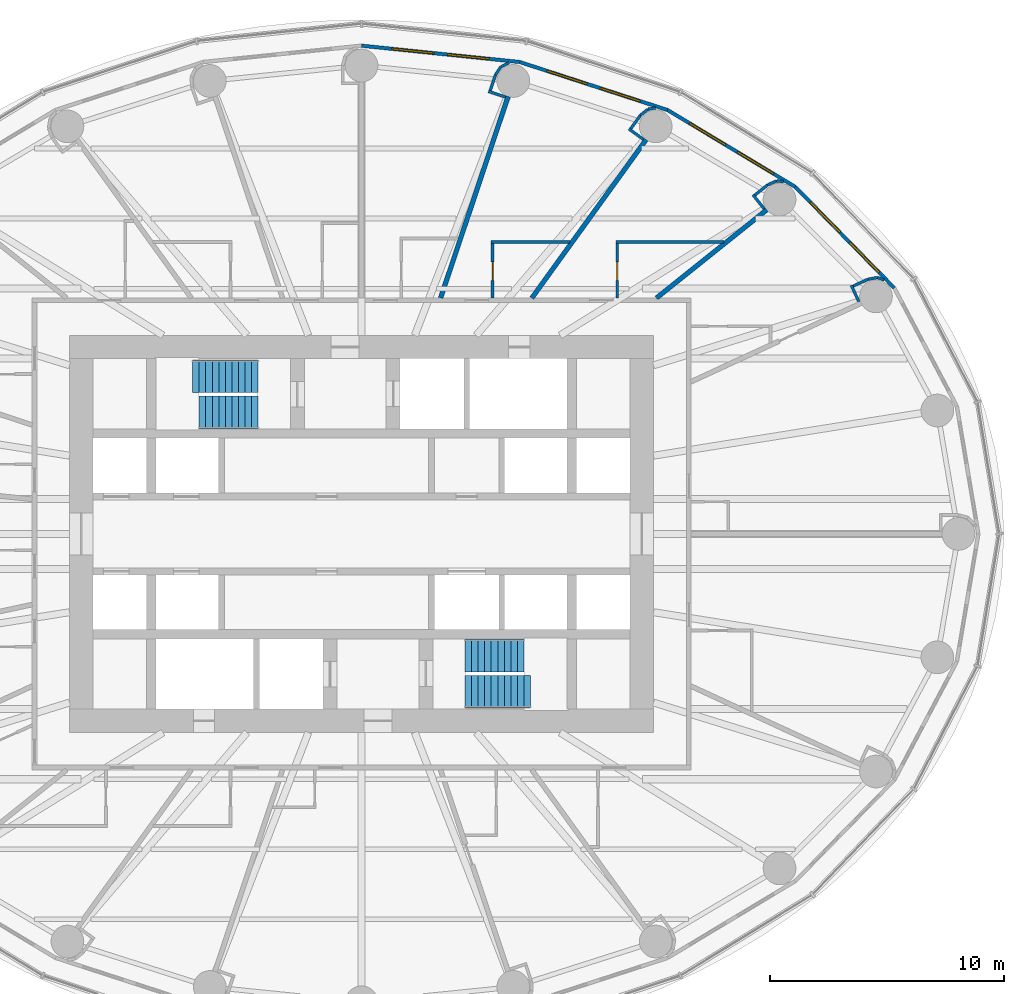
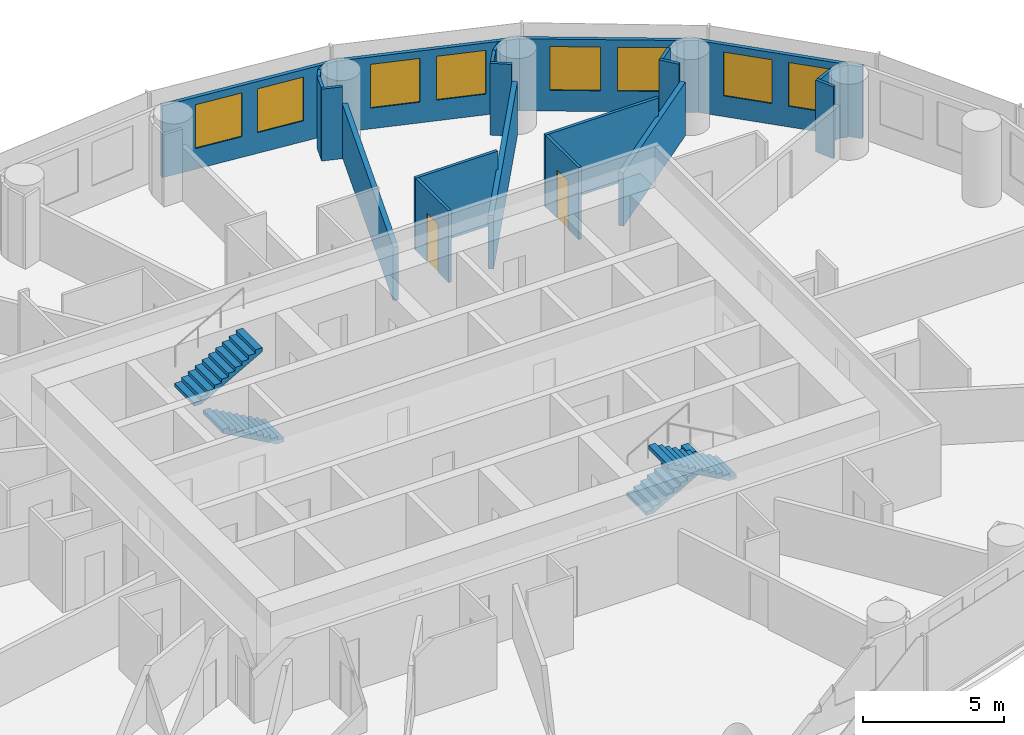
# One storey, part 12 of 13: 27 walls, 8 windows, 4 stair flights, 2 doors, 10 openings, 2 elements without a shape of their own.
"""IFC4 building model written with IfcOpenShell, lengths in metres."""

from ifc_helpers import new_model, si_unit, direction, frame, frame_2d, origin, place, context, subcontext, project, spatial, polyline, rectangle, outline, extrude, material, layer, layer_set, type_object, element, fill, aggregate, save


model = new_model("IFC4")

# Units and contexts
model_context = context("Model", 3, precision=1e-05, world=origin(), true_north=direction((0.0, 1.0)))
body_context = subcontext(model_context, "Body", "Model", "MODEL_VIEW")
ifc_project = project(units=[si_unit("LENGTHUNIT", "METRE"), si_unit("AREAUNIT", "SQUARE_METRE"), si_unit("VOLUMEUNIT", "CUBIC_METRE"), si_unit("PLANEANGLEUNIT", "RADIAN"), si_unit("MASSUNIT", "GRAM", prefix="KILO")], contexts=[model_context])

# Site, building, storey
site_placement = place(None, origin())
site = spatial("IfcSite", under=ifc_project, at=site_placement, CompositionType="ELEMENT")
building_placement = place(site_placement, origin())
building = spatial("IfcBuilding", under=site, at=building_placement, Name="Hankou Lantern Tower", CompositionType="ELEMENT")
storey_placement = place(building_placement, frame((0.0, 0.0, 83.699951171875)))
storey = spatial("IfcBuildingStorey", under=building, at=storey_placement, Name="L21", CompositionType="ELEMENT", Elevation=83.699951171875)

# Wall, openings, windows
ifc_material_1 = material(Name="Aluminium spandrel panel on steel studs", Category="steel")
ifc_layer_1 = layer(ifc_material_1, 0.14990234375)
ifc_layer_set_1 = layer_set([ifc_layer_1], Name="Aluminium spandrel panel on steel studs")
wall_type_1 = type_object("IfcWallType", Name="EW1 INNER SKIN WALL 150", PredefinedType="ELEMENTEDWALL", material=ifc_layer_set_1)
wall_1_placement = place(storey_placement, frame((22.802734375, 10.5322265625, 0.0), z_axis=(0.0, 0.0, 1.0), x_axis=(-0.699602905915, 0.714531856557, 0.0)))
wall_1 = element("IfcWall", 1, at=wall_1_placement, inside=storey, type_object=wall_type_1, Name="Inner skin R03-R04 L21", PredefinedType="ELEMENTEDWALL", context=body_context, shape_type="SweptSolid", body=[
    extrude(rectangle(XDim=6.05078125, YDim=0.14990234375, at=frame_2d((3.025390625, 0.0))), origin(), (0.0, 0.0, 1.0), 3.1201171875),
])
opening_1_placement = place(wall_1_placement, frame((0.925537109375, 0.0, 0.89990234375)))
opening_1 = element("IfcOpeningElement", 2, at=opening_1_placement, cuts=wall_1, Name="Opening W1", PredefinedType="OPENING", context=body_context, shape_type="SweptSolid", body=[
    extrude(rectangle(XDim=1.800048828125, YDim=1.89990234375, at=frame_2d((0.89990234375, 0.949951171875))), frame((0.0, 0.0849609375, 0.0), z_axis=(0.0, -1.0, 0.0), x_axis=(1.0, 0.0, 0.0)), (0.0, 0.0, 1.0), 0.169921875),
])
opening_2_placement = place(wall_1_placement, frame((3.325439453125, 0.0, 0.89990234375)))
opening_2 = element("IfcOpeningElement", 3, at=opening_2_placement, cuts=wall_1, Name="Opening W1", PredefinedType="OPENING", context=body_context, shape_type="SweptSolid", body=[
    extrude(rectangle(XDim=1.800048828125, YDim=1.89990234375, at=frame_2d((0.89990234375, 0.949951171875))), frame((0.0, 0.0849609375, 0.0), z_axis=(0.0, -1.0, 0.0), x_axis=(1.0, 0.0, 0.0)), (0.0, 0.0, 1.0), 0.169921875),
])
ifc_material_2 = material(Name="Aluminium framed double glazed window", Category="aluminium")
window_type = type_object("IfcWindowType", Name="W1 GUEST ROOM WINDOW 1800X1900", PartitioningType="DOUBLE_PANEL_VERTICAL", PredefinedType="WINDOW", material=ifc_material_2)
window_1_placement = place(opening_1_placement, origin())
window_1 = element("IfcWindow", 4, at=window_1_placement, inside=storey, type_object=window_type, Name="Window R03.1 L21", OverallHeight=1.89990234375, OverallWidth=1.800048828125, PartitioningType="SINGLE_PANEL", PredefinedType="WINDOW", context=body_context, shape_type="SweptSolid", body=[
    extrude(rectangle(XDim=1.800048828125, YDim=1.89990234375, at=frame_2d((0.89990234375, 0.949951171875))), frame((0.0, 0.030029296875, 0.0), z_axis=(0.0, -1.0, 0.0), x_axis=(1.0, 0.0, 0.0)), (0.0, 0.0, 1.0), 0.06005859375),
])
fill(opening_1, window_1)
window_2_placement = place(opening_2_placement, origin())
window_2 = element("IfcWindow", 5, at=window_2_placement, inside=storey, type_object=window_type, Name="Window R03.2 L21", OverallHeight=1.89990234375, OverallWidth=1.800048828125, PartitioningType="SINGLE_PANEL", PredefinedType="WINDOW", context=body_context, shape_type="SweptSolid", body=[
    extrude(rectangle(XDim=1.800048828125, YDim=1.89990234375, at=frame_2d((0.89990234375, 0.949951171875))), frame((0.0, 0.030029296875, 0.0), z_axis=(0.0, -1.0, 0.0), x_axis=(1.0, 0.0, 0.0)), (0.0, 0.0, 1.0), 0.06005859375),
])
fill(opening_2, window_2)

wall_2_placement = place(storey_placement, frame((18.569580078125, 14.855712890625, 0.0), z_axis=(0.0, 0.0, 1.0), x_axis=(-0.856983180864, 0.515344377787, 0.0)))
wall_2 = element("IfcWall", 6, at=wall_2_placement, inside=storey, type_object=wall_type_1, Name="Inner skin R04-R05 L21", PredefinedType="ELEMENTEDWALL", context=body_context, shape_type="SweptSolid", body=[
    extrude(rectangle(XDim=6.386474609375, YDim=0.14990234375, at=frame_2d((3.193359375, 0.0))), origin(), (0.0, 0.0, 1.0), 3.1201171875),
])
opening_3_placement = place(wall_2_placement, frame((1.09326171875, 0.0, 0.89990234375)))
opening_3 = element("IfcOpeningElement", 7, at=opening_3_placement, cuts=wall_2, Name="Opening W1", PredefinedType="OPENING", context=body_context, shape_type="SweptSolid", body=[
    extrude(rectangle(XDim=1.800048828125, YDim=1.89990234375, at=frame_2d((0.89990234375, 0.949951171875))), frame((0.0, 0.0849609375, 0.0), z_axis=(0.0, -1.0, 0.0), x_axis=(1.0, 0.0, 0.0)), (0.0, 0.0, 1.0), 0.169921875),
])
opening_4_placement = place(wall_2_placement, frame((3.4931640625, 0.0, 0.89990234375)))
opening_4 = element("IfcOpeningElement", 8, at=opening_4_placement, cuts=wall_2, Name="Opening W1", PredefinedType="OPENING", context=body_context, shape_type="SweptSolid", body=[
    extrude(rectangle(XDim=1.800048828125, YDim=1.89990234375, at=frame_2d((0.89990234375, 0.949951171875))), frame((0.0, 0.0849609375, 0.0), z_axis=(0.0, -1.0, 0.0), x_axis=(1.0, 0.0, 0.0)), (0.0, 0.0, 1.0), 0.169921875),
])
window_3_placement = place(opening_3_placement, origin())
window_3 = element("IfcWindow", 9, at=window_3_placement, inside=storey, type_object=window_type, Name="Window R04.1 L21", OverallHeight=1.89990234375, OverallWidth=1.800048828125, PartitioningType="SINGLE_PANEL", PredefinedType="WINDOW", context=body_context, shape_type="SweptSolid", body=[
    extrude(rectangle(XDim=1.800048828125, YDim=1.89990234375, at=frame_2d((0.89990234375, 0.949951171875))), frame((0.0, 0.030029296875, 0.0), z_axis=(0.0, -1.0, 0.0), x_axis=(1.0, 0.0, 0.0)), (0.0, 0.0, 1.0), 0.06005859375),
])
fill(opening_3, window_3)
window_4_placement = place(opening_4_placement, origin())
window_4 = element("IfcWindow", 10, at=window_4_placement, inside=storey, type_object=window_type, Name="Window R04.2 L21", OverallHeight=1.89990234375, OverallWidth=1.800048828125, PartitioningType="SINGLE_PANEL", PredefinedType="WINDOW", context=body_context, shape_type="SweptSolid", body=[
    extrude(rectangle(XDim=1.800048828125, YDim=1.89990234375, at=frame_2d((0.89990234375, 0.949951171875))), frame((0.0, 0.030029296875, 0.0), z_axis=(0.0, -1.0, 0.0), x_axis=(1.0, 0.0, 0.0)), (0.0, 0.0, 1.0), 0.06005859375),
])
fill(opening_4, window_4)

wall_3_placement = place(storey_placement, frame((13.096435546875, 18.14697265625, 0.0), z_axis=(0.0, 0.0, 1.0), x_axis=(-0.951137534625, 0.308767534285, 0.0)))
wall_3 = element("IfcWall", 11, at=wall_3_placement, inside=storey, type_object=wall_type_1, Name="Inner skin R05-R06 L21", PredefinedType="ELEMENTEDWALL", context=body_context, shape_type="SweptSolid", body=[
    extrude(rectangle(XDim=6.6552734375, YDim=0.14990234375, at=frame_2d((3.32763671875, 0.0))), origin(), (0.0, 0.0, 1.0), 3.1201171875),
])
opening_5_placement = place(wall_3_placement, frame((1.2275390625, 0.0, 0.89990234375)))
opening_5 = element("IfcOpeningElement", 12, at=opening_5_placement, cuts=wall_3, Name="Opening W1", PredefinedType="OPENING", context=body_context, shape_type="SweptSolid", body=[
    extrude(rectangle(XDim=1.800048828125, YDim=1.89990234375, at=frame_2d((0.89990234375, 0.949951171875))), frame((0.0, 0.0849609375, 0.0), z_axis=(0.0, -1.0, 0.0), x_axis=(1.0, 0.0, 0.0)), (0.0, 0.0, 1.0), 0.169921875),
])
opening_6_placement = place(wall_3_placement, frame((3.627685546875, 0.0, 0.89990234375)))
opening_6 = element("IfcOpeningElement", 13, at=opening_6_placement, cuts=wall_3, Name="Opening W1", PredefinedType="OPENING", context=body_context, shape_type="SweptSolid", body=[
    extrude(rectangle(XDim=1.800048828125, YDim=1.89990234375, at=frame_2d((0.89990234375, 0.949951171875))), frame((0.0, 0.0849609375, 0.0), z_axis=(0.0, -1.0, 0.0), x_axis=(1.0, 0.0, 0.0)), (0.0, 0.0, 1.0), 0.169921875),
])
window_5_placement = place(opening_5_placement, origin())
window_5 = element("IfcWindow", 14, at=window_5_placement, inside=storey, type_object=window_type, Name="Window R05.1 L21", OverallHeight=1.89990234375, OverallWidth=1.800048828125, PartitioningType="SINGLE_PANEL", PredefinedType="WINDOW", context=body_context, shape_type="SweptSolid", body=[
    extrude(rectangle(XDim=1.800048828125, YDim=1.89990234375, at=frame_2d((0.89990234375, 0.949951171875))), frame((0.0, 0.030029296875, 0.0), z_axis=(0.0, -1.0, 0.0), x_axis=(1.0, 0.0, 0.0)), (0.0, 0.0, 1.0), 0.06005859375),
])
fill(opening_5, window_5)
window_6_placement = place(opening_6_placement, origin())
window_6 = element("IfcWindow", 15, at=window_6_placement, inside=storey, type_object=window_type, Name="Window R05.2 L21", OverallHeight=1.89990234375, OverallWidth=1.800048828125, PartitioningType="SINGLE_PANEL", PredefinedType="WINDOW", context=body_context, shape_type="SweptSolid", body=[
    extrude(rectangle(XDim=1.800048828125, YDim=1.89990234375, at=frame_2d((0.89990234375, 0.949951171875))), frame((0.0, 0.030029296875, 0.0), z_axis=(0.0, -1.0, 0.0), x_axis=(1.0, 0.0, 0.0)), (0.0, 0.0, 1.0), 0.06005859375),
])
fill(opening_6, window_6)

wall_4_placement = place(storey_placement, frame((6.766357421875, 20.201904296875, 0.0), z_axis=(0.0, 0.0, 1.0), x_axis=(-0.994721394369, 0.102612609291, 0.0)))
wall_4 = element("IfcWall", 16, at=wall_4_placement, inside=storey, type_object=wall_type_1, Name="Inner skin R06-R07 L21", PredefinedType="ELEMENTEDWALL", context=body_context, shape_type="SweptSolid", body=[
    extrude(rectangle(XDim=6.80224609375, YDim=0.14990234375, at=frame_2d((3.401123046875, 0.0))), origin(), (0.0, 0.0, 1.0), 3.1201171875),
])
opening_7_placement = place(wall_4_placement, frame((1.301025390625, 0.0, 0.89990234375)))
opening_7 = element("IfcOpeningElement", 17, at=opening_7_placement, cuts=wall_4, Name="Opening W1", PredefinedType="OPENING", context=body_context, shape_type="SweptSolid", body=[
    extrude(rectangle(XDim=1.800048828125, YDim=1.89990234375, at=frame_2d((0.89990234375, 0.949951171875))), frame((0.0, 0.0849609375, 0.0), z_axis=(0.0, -1.0, 0.0), x_axis=(1.0, 0.0, 0.0)), (0.0, 0.0, 1.0), 0.169921875),
])
opening_8_placement = place(wall_4_placement, frame((3.701171875, 0.0, 0.89990234375)))
opening_8 = element("IfcOpeningElement", 18, at=opening_8_placement, cuts=wall_4, Name="Opening W1", PredefinedType="OPENING", context=body_context, shape_type="SweptSolid", body=[
    extrude(rectangle(XDim=1.800048828125, YDim=1.89990234375, at=frame_2d((0.89990234375, 0.949951171875))), frame((0.0, 0.0849609375, 0.0), z_axis=(0.0, -1.0, 0.0), x_axis=(1.0, 0.0, 0.0)), (0.0, 0.0, 1.0), 0.169921875),
])
window_7_placement = place(opening_7_placement, origin())
window_7 = element("IfcWindow", 19, at=window_7_placement, inside=storey, type_object=window_type, Name="Window R06.1 L21", OverallHeight=1.89990234375, OverallWidth=1.800048828125, PartitioningType="SINGLE_PANEL", PredefinedType="WINDOW", context=body_context, shape_type="SweptSolid", body=[
    extrude(rectangle(XDim=1.800048828125, YDim=1.89990234375, at=frame_2d((0.89990234375, 0.949951171875))), frame((0.0, 0.030029296875, 0.0), z_axis=(0.0, -1.0, 0.0), x_axis=(1.0, 0.0, 0.0)), (0.0, 0.0, 1.0), 0.06005859375),
])
fill(opening_7, window_7)
window_8_placement = place(opening_8_placement, origin())
window_8 = element("IfcWindow", 20, at=window_8_placement, inside=storey, type_object=window_type, Name="Window R06.2 L21", OverallHeight=1.89990234375, OverallWidth=1.800048828125, PartitioningType="SINGLE_PANEL", PredefinedType="WINDOW", context=body_context, shape_type="SweptSolid", body=[
    extrude(rectangle(XDim=1.800048828125, YDim=1.89990234375, at=frame_2d((0.89990234375, 0.949951171875))), frame((0.0, 0.030029296875, 0.0), z_axis=(0.0, -1.0, 0.0), x_axis=(1.0, 0.0, 0.0)), (0.0, 0.0, 1.0), 0.06005859375),
])
fill(opening_8, window_8)

# Walls
ifc_material_3 = material(Name="Masonry lightweight concrete block", Category="masonry")
ifc_layer_2 = layer(ifc_material_3, 0.199951171875)
ifc_layer_set_2 = layer_set([ifc_layer_2], Name="Masonry lightweight concrete block")
wall_type_2 = type_object("IfcWallType", Name="IW1 GUEST ROOM PARTY WALL 200", PredefinedType="PARTITIONING", material=ifc_layer_set_2)
wall_5_placement = place(storey_placement, frame((12.625, 10.10009765625, 0.0), z_axis=(0.0, 0.0, 1.0), x_axis=(0.780892451574, 0.624665493744, 0.0)))
element("IfcWall", 21, at=wall_5_placement, inside=storey, type_object=wall_type_2, Name="Party wall R04", PredefinedType="PARTITIONING", context=body_context, shape_type="SweptSolid", body=[
    extrude(rectangle(XDim=6.044677734375, YDim=0.199951171875, at=frame_2d((3.0224609375, 0.0))), origin(), (0.0, 0.0, 1.0), 2.320068359375),
])
wall_6_placement = place(storey_placement, frame((7.2890625, 10.10009765625, 0.0), z_axis=(0.0, 0.0, 1.0), x_axis=(0.585198353053, 0.810890182197, 0.0)))
element("IfcWall", 22, at=wall_6_placement, inside=storey, type_object=wall_type_2, Name="Party wall R05", PredefinedType="PARTITIONING", context=body_context, shape_type="SweptSolid", body=[
    extrude(rectangle(XDim=8.359619140625, YDim=0.199951171875, at=frame_2d((4.1796875, 0.0))), origin(), (0.0, 0.0, 1.0), 2.320068359375),
])
wall_7_placement = place(storey_placement, frame((3.3828125, 10.10009765625, 0.0), z_axis=(0.0, 0.0, 1.0), x_axis=(0.31759592231, 0.948226149256, 0.0)))
element("IfcWall", 23, at=wall_7_placement, inside=storey, type_object=wall_type_2, Name="Party wall R06", PredefinedType="PARTITIONING", context=body_context, shape_type="SweptSolid", body=[
    extrude(rectangle(XDim=9.098388671875, YDim=0.199951171875, at=frame_2d((4.54931640625, 0.0))), origin(), (0.0, 0.0, 1.0), 2.320068359375),
])
ifc_material_4 = material(Name="Masonry lightweight concrete block", Category="masonry")
ifc_layer_3 = layer(ifc_material_4, 0.1201171875)
ifc_layer_set_3 = layer_set([ifc_layer_3], Name="Masonry lightweight concrete block")
wall_type_3 = type_object("IfcWallType", Name="IW3 BATHROOM WALL 120", PredefinedType="PARTITIONING", material=ifc_layer_set_3)
wall_8_placement = place(storey_placement, frame((15.52490234375, 12.5, 0.0), z_axis=(0.0, 0.0, 1.0), x_axis=(-1.0, 0.0, 0.0)))
element("IfcWall", 24, at=wall_8_placement, inside=storey, type_object=wall_type_3, Name="Box wall 2111 1", PredefinedType="PARTITIONING", context=body_context, shape_type="SweptSolid", body=[
    extrude(rectangle(XDim=4.639892578125, YDim=0.1201171875, at=frame_2d((2.31982421875, 0.0))), origin(), (0.0, 0.0, 1.0), 3.1201171875),
])

# Wall, opening, door
wall_9_placement = place(storey_placement, frame((10.945068359375, 10.10009765625, 0.0), z_axis=(0.0, 0.0, 1.0), x_axis=(0.0, 1.0, 0.0)))
wall_9 = element("IfcWall", 25, at=wall_9_placement, inside=storey, type_object=wall_type_3, Name="Box wall 2111 1", PredefinedType="PARTITIONING", context=body_context, shape_type="SweptSolid", body=[
    extrude(rectangle(XDim=2.33984375, YDim=0.1201171875, at=frame_2d((1.169921875, 0.0))), origin(), (0.0, 0.0, 1.0), 3.1201171875),
])
opening_9_placement = place(wall_9_placement, frame((0.75, 0.0, 0.0)))
opening_9 = element("IfcOpeningElement", 26, at=opening_9_placement, cuts=wall_9, Name="Opening D3", PredefinedType="OPENING", context=body_context, shape_type="SweptSolid", body=[
    extrude(rectangle(XDim=0.800048828125, YDim=2.10009765625, at=frame_2d((0.39990234375, 1.050048828125))), frame((0.0, 0.070068359375, 0.0), z_axis=(0.0, -1.0, 0.0), x_axis=(1.0, 0.0, 0.0)), (0.0, 0.0, 1.0), 0.14013671875),
])
ifc_material_5 = material(Name="Timber door leaf", Category="wood")
door_type = type_object("IfcDoorType", Name="D3 BATHROOM DOOR 800X2100", OperationType="SINGLE_SWING_LEFT", PredefinedType="DOOR", material=ifc_material_5)
door_1_placement = place(opening_9_placement, origin())
door_1 = element("IfcDoor", 27, at=door_1_placement, inside=storey, type_object=door_type, Name="En-suite bathroom 2111 door", OperationType="SINGLE_SWING_LEFT", OverallHeight=2.10009765625, OverallWidth=0.800048828125, PredefinedType="DOOR", context=body_context, shape_type="SweptSolid", body=[
    extrude(rectangle(XDim=0.800048828125, YDim=2.10009765625, at=frame_2d((0.39990234375, 1.050048828125))), frame((0.0, 0.02490234375, 0.0), z_axis=(0.0, -1.0, 0.0), x_axis=(1.0, 0.0, 0.0)), (0.0, 0.0, 1.0), 0.050048828125),
])
fill(opening_9, door_1)

# Wall
wall_10_placement = place(storey_placement, frame((8.921142578125, 12.5, 0.0), z_axis=(0.0, 0.0, 1.0), x_axis=(-1.0, 0.0, 0.0)))
element("IfcWall", 28, at=wall_10_placement, inside=storey, type_object=wall_type_3, Name="Box wall 2112 1", PredefinedType="PARTITIONING", context=body_context, shape_type="SweptSolid", body=[
    extrude(rectangle(XDim=3.3720703125, YDim=0.1201171875, at=frame_2d((1.68603515625, 0.0))), origin(), (0.0, 0.0, 1.0), 3.1201171875),
])

# Wall, opening, door
wall_11_placement = place(storey_placement, frame((5.609130859375, 10.10009765625, 0.0), z_axis=(0.0, 0.0, 1.0), x_axis=(0.0, 1.0, 0.0)))
wall_11 = element("IfcWall", 29, at=wall_11_placement, inside=storey, type_object=wall_type_3, Name="Box wall 2112 1", PredefinedType="PARTITIONING", context=body_context, shape_type="SweptSolid", body=[
    extrude(rectangle(XDim=2.33984375, YDim=0.1201171875, at=frame_2d((1.169921875, 0.0))), origin(), (0.0, 0.0, 1.0), 3.1201171875),
])
opening_10_placement = place(wall_11_placement, frame((0.75, 0.0, 0.0)))
opening_10 = element("IfcOpeningElement", 30, at=opening_10_placement, cuts=wall_11, Name="Opening D3", PredefinedType="OPENING", context=body_context, shape_type="SweptSolid", body=[
    extrude(rectangle(XDim=0.800048828125, YDim=2.10009765625, at=frame_2d((0.39990234375, 1.050048828125))), frame((0.0, 0.070068359375, 0.0), z_axis=(0.0, -1.0, 0.0), x_axis=(1.0, 0.0, 0.0)), (0.0, 0.0, 1.0), 0.14013671875),
])
door_2_placement = place(opening_10_placement, origin())
door_2 = element("IfcDoor", 31, at=door_2_placement, inside=storey, type_object=door_type, Name="En-suite bathroom 2112 door", OperationType="SINGLE_SWING_LEFT", OverallHeight=2.10009765625, OverallWidth=0.800048828125, PredefinedType="DOOR", context=body_context, shape_type="SweptSolid", body=[
    extrude(rectangle(XDim=0.800048828125, YDim=2.10009765625, at=frame_2d((0.39990234375, 1.050048828125))), frame((0.0, 0.02490234375, 0.0), z_axis=(0.0, -1.0, 0.0), x_axis=(1.0, 0.0, 0.0)), (0.0, 0.0, 1.0), 0.050048828125),
])
fill(opening_10, door_2)

# Walls
ifc_material_6 = material(Name="Masonry lightweight concrete block", Category="masonry")
ifc_layer_4 = layer(ifc_material_6, 0.1201171875)
ifc_layer_set_4 = layer_set([ifc_layer_4], Name="Masonry lightweight concrete block")
wall_type_4 = type_object("IfcWallType", Name="IW4 PARTITION 120", PredefinedType="PARTITIONING", material=ifc_layer_set_4)
wall_12_placement = place(storey_placement, frame((21.287109375, 9.9423828125, 0.0), z_axis=(0.0, 0.0, 1.0), x_axis=(-0.419259891039, 0.907866258744, 0.0)))
element("IfcWall", 32, at=wall_12_placement, inside=storey, type_object=wall_type_4, Name="Column casing R03 return", PredefinedType="PARTITIONING", context=body_context, shape_type="SweptSolid", body=[
    extrude(rectangle(XDim=0.767578125, YDim=0.1201171875, at=frame_2d((0.3837890625, 0.0))), origin(), (0.0, 0.0, 1.0), 3.1201171875),
])
wall_13_placement = place(storey_placement, frame((21.044921875, 10.60986328125, 0.0), z_axis=(0.0, 0.0, 1.0), x_axis=(0.907877701396, 0.419235112208, 0.0)))
element("IfcWall", 33, at=wall_13_placement, inside=storey, type_object=wall_type_4, Name="Column casing R03", PredefinedType="PARTITIONING", context=body_context, shape_type="SweptSolid", body=[
    extrude(rectangle(XDim=0.699951171875, YDim=0.1201171875, at=frame_2d((0.35009765625, 0.0))), origin(), (0.0, 0.0, 1.0), 3.1201171875),
])
wall_14_placement = place(storey_placement, frame((21.680419921875, 10.9033203125, 0.0), z_axis=(0.0, 0.0, 1.0), x_axis=(0.985446622073, 0.169985161247, 0.0)))
element("IfcWall", 34, at=wall_14_placement, inside=storey, type_object=wall_type_4, Name="Column casing R03", PredefinedType="PARTITIONING", context=body_context, shape_type="SweptSolid", body=[
    extrude(rectangle(XDim=0.41796875, YDim=0.1201171875, at=frame_2d((0.208984375, 0.0))), origin(), (0.0, 0.0, 1.0), 3.1201171875),
])
wall_15_placement = place(storey_placement, frame((22.09228515625, 10.974365234375, 0.0), z_axis=(0.0, 0.0, 1.0), x_axis=(0.938428160676, -0.345474437912, 0.0)))
element("IfcWall", 35, at=wall_15_placement, inside=storey, type_object=wall_type_4, Name="Column casing R03", PredefinedType="PARTITIONING", context=body_context, shape_type="SweptSolid", body=[
    extrude(rectangle(XDim=0.2939453125, YDim=0.1201171875, at=frame_2d((0.14697265625, 0.0))), origin(), (0.0, 0.0, 1.0), 3.1201171875),
])
wall_16_placement = place(storey_placement, frame((17.23583984375, 13.916748046875, 0.0), z_axis=(0.0, 0.0, 1.0), x_axis=(-0.624695047554, 0.780868809443, 0.0)))
element("IfcWall", 36, at=wall_16_placement, inside=storey, type_object=wall_type_4, Name="Column casing R04 return", PredefinedType="PARTITIONING", context=body_context, shape_type="SweptSolid", body=[
    extrude(rectangle(XDim=0.767578125, YDim=0.1201171875, at=frame_2d((0.3837890625, 0.0))), origin(), (0.0, 0.0, 1.0), 3.1201171875),
])
wall_17_placement = place(storey_placement, frame((16.840576171875, 14.506591796875, 0.0), z_axis=(0.0, 0.0, 1.0), x_axis=(0.780902834923, 0.62465251333, 0.0)))
element("IfcWall", 37, at=wall_17_placement, inside=storey, type_object=wall_type_4, Name="Column casing R04", PredefinedType="PARTITIONING", context=body_context, shape_type="SweptSolid", body=[
    extrude(rectangle(XDim=0.699951171875, YDim=0.1201171875, at=frame_2d((0.35009765625, 0.0))), origin(), (0.0, 0.0, 1.0), 3.1201171875),
])
wall_18_placement = place(storey_placement, frame((17.38720703125, 14.94384765625, 0.0), z_axis=(0.0, 0.0, 1.0), x_axis=(0.916036698064, 0.401094462441, 0.0)))
element("IfcWall", 38, at=wall_18_placement, inside=storey, type_object=wall_type_4, Name="Column casing R04", PredefinedType="PARTITIONING", context=body_context, shape_type="SweptSolid", body=[
    extrude(rectangle(XDim=0.418212890625, YDim=0.1201171875, at=frame_2d((0.208984375, 0.0))), origin(), (0.0, 0.0, 1.0), 3.1201171875),
])
wall_19_placement = place(storey_placement, frame((17.770263671875, 15.111572265625, 0.0), z_axis=(0.0, 0.0, 1.0), x_axis=(0.993904401174, -0.110245368731, 0.0)))
element("IfcWall", 39, at=wall_19_placement, inside=storey, type_object=wall_type_4, Name="Column casing R04", PredefinedType="PARTITIONING", context=body_context, shape_type="SweptSolid", body=[
    extrude(rectangle(XDim=0.287841796875, YDim=0.1201171875, at=frame_2d((0.14404296875, 0.0))), origin(), (0.0, 0.0, 1.0), 3.1201171875),
])
wall_20_placement = place(storey_placement, frame((12.06494140625, 16.888671875, 0.0), z_axis=(0.0, 0.0, 1.0), x_axis=(-0.810821798253, 0.585293098778, 0.0)))
element("IfcWall", 40, at=wall_20_placement, inside=storey, type_object=wall_type_4, Name="Column casing R05 return", PredefinedType="PARTITIONING", context=body_context, shape_type="SweptSolid", body=[
    extrude(rectangle(XDim=0.767578125, YDim=0.1201171875, at=frame_2d((0.3837890625, 0.0))), origin(), (0.0, 0.0, 1.0), 3.1201171875),
])
wall_21_placement = place(storey_placement, frame((11.5263671875, 17.351318359375, 0.0), z_axis=(0.0, 0.0, 1.0), x_axis=(0.585223113993, 0.810872312296, 0.0)))
element("IfcWall", 41, at=wall_21_placement, inside=storey, type_object=wall_type_4, Name="Column casing R05", PredefinedType="PARTITIONING", context=body_context, shape_type="SweptSolid", body=[
    extrude(rectangle(XDim=0.699951171875, YDim=0.1201171875, at=frame_2d((0.35009765625, 0.0))), origin(), (0.0, 0.0, 1.0), 3.1201171875),
])
wall_22_placement = place(storey_placement, frame((11.93603515625, 17.9189453125, 0.0), z_axis=(0.0, 0.0, 1.0), x_axis=(0.775023088441, 0.631932917629, 0.0)))
element("IfcWall", 42, at=wall_22_placement, inside=storey, type_object=wall_type_4, Name="Column casing R05", PredefinedType="PARTITIONING", context=body_context, shape_type="SweptSolid", body=[
    extrude(rectangle(XDim=0.41796875, YDim=0.1201171875, at=frame_2d((0.208984375, 0.0))), origin(), (0.0, 0.0, 1.0), 3.1201171875),
])
wall_23_placement = place(storey_placement, frame((12.260009765625, 18.18310546875, 0.0), z_axis=(0.0, 0.0, 1.0), x_axis=(0.987218661664, 0.159371622511, 0.0)))
element("IfcWall", 43, at=wall_23_placement, inside=storey, type_object=wall_type_4, Name="Column casing R05", PredefinedType="PARTITIONING", context=body_context, shape_type="SweptSolid", body=[
    extrude(rectangle(XDim=0.330810546875, YDim=0.1201171875, at=frame_2d((0.16552734375, 0.0))), origin(), (0.0, 0.0, 1.0), 3.1201171875),
])
wall_24_placement = place(storey_placement, frame((6.15869140625, 18.702392578125, 0.0), z_axis=(0.0, 0.0, 1.0), x_axis=(-0.948173154049, 0.31775410295, 0.0)))
element("IfcWall", 44, at=wall_24_placement, inside=storey, type_object=wall_type_4, Name="Column casing R06 return", PredefinedType="PARTITIONING", context=body_context, shape_type="SweptSolid", body=[
    extrude(rectangle(XDim=0.767578125, YDim=0.1201171875, at=frame_2d((0.3837890625, 0.0))), origin(), (0.0, 0.0, 1.0), 3.1201171875),
])
wall_25_placement = place(storey_placement, frame((5.5068359375, 18.984130859375, 0.0), z_axis=(0.0, 0.0, 1.0), x_axis=(0.317692050622, 0.948193946918, 0.0)))
element("IfcWall", 45, at=wall_25_placement, inside=storey, type_object=wall_type_4, Name="Column casing R06", PredefinedType="PARTITIONING", context=body_context, shape_type="SweptSolid", body=[
    extrude(rectangle(XDim=0.7001953125, YDim=0.1201171875, at=frame_2d((0.35009765625, 0.0))), origin(), (0.0, 0.0, 1.0), 3.1201171875),
])
wall_26_placement = place(storey_placement, frame((5.729248046875, 19.64794921875, 0.0), z_axis=(0.0, 0.0, 1.0), x_axis=(0.552135764955, 0.833754218615, 0.0)))
element("IfcWall", 46, at=wall_26_placement, inside=storey, type_object=wall_type_4, Name="Column casing R06", PredefinedType="PARTITIONING", context=body_context, shape_type="SweptSolid", body=[
    extrude(rectangle(XDim=0.41796875, YDim=0.1201171875, at=frame_2d((0.208984375, 0.0))), origin(), (0.0, 0.0, 1.0), 3.1201171875),
])
wall_27_placement = place(storey_placement, frame((5.9599609375, 19.996337890625, 0.0), z_axis=(0.0, 0.0, 1.0), x_axis=(0.895160725913, 0.445743507842, 0.0)))
element("IfcWall", 47, at=wall_27_placement, inside=storey, type_object=wall_type_4, Name="Column casing R06", PredefinedType="PARTITIONING", context=body_context, shape_type="SweptSolid", body=[
    extrude(rectangle(XDim=0.398681640625, YDim=0.1201171875, at=frame_2d((0.19921875, 0.0))), origin(), (0.0, 0.0, 1.0), 3.1201171875),
])

# Stair, stair flight
ifc_material_7 = material(Name="Concrete C40", Category="concrete")
stair_type = type_object("IfcStairType", Name="ST33 CORE STAIR 3300 RISE", PredefinedType="HALF_TURN_STAIR", material=ifc_material_7)
stair_1_placement = place(storey_placement, origin())
stair_1 = element("IfcStair", 48, at=stair_1_placement, inside=storey, type_object=stair_type, Name="Stair STA L21", PredefinedType="HALF_TURN_STAIR")
ifc_material_8 = material(Name="Concrete C40", Category="concrete")
stair_flight_type_1 = type_object("IfcStairFlightType", Name="CF10 CORE STAIR FLIGHT 1400 X 10 RISERS", PredefinedType="STRAIGHT", material=ifc_material_8)
stair_flight_1_placement = place(storey_placement, frame((-4.429931640625, 5.199951171875, 0.0), z_axis=(0.0, 0.0, 1.0), x_axis=(-1.0, 0.0, 0.0)))
stair_flight_1 = element("IfcStairFlight", 49, at=stair_flight_1_placement, type_object=stair_flight_type_1, Name="STA flight 1", NumberOfRisers=10, NumberOfTreads=9, PredefinedType="STRAIGHT", RiserHeight=0.157142857, TreadLength=0.28, context=body_context, shape_type="SweptSolid", body=[
    extrude(outline(polyline([(0.0, 0.0), (0.0, 0.1572265625), (0.280029296875, 0.1572265625), (0.280029296875, 0.314208984375), (0.56005859375, 0.314208984375), (0.56005859375, 0.471435546875), (0.840087890625, 0.471435546875), (0.840087890625, 0.628662109375), (1.1201171875, 0.628662109375), (1.1201171875, 0.78564453125), (1.39990234375, 0.78564453125), (1.39990234375, 0.94287109375), (1.679931640625, 0.94287109375), (1.679931640625, 1.10009765625), (1.9599609375, 1.10009765625), (1.9599609375, 1.257080078125), (2.239990234375, 1.257080078125), (2.239990234375, 1.414306640625), (2.52001953125, 1.414306640625), (2.52001953125, 1.571533203125), (2.52001953125, 1.242431640625), (0.306396484375, 0.0), (0.0, 0.0)])), frame((0.0, 0.699951171875, 0.0), z_axis=(0.0, -1.0, 0.0), x_axis=(1.0, 0.0, 0.0)), (0.0, 0.0, 1.0), 1.39990234375),
])

stair_2_placement = place(storey_placement, origin())
stair_2 = element("IfcStair", 50, at=stair_2_placement, inside=storey, type_object=stair_type, Name="Stair STB L21", PredefinedType="HALF_TURN_STAIR")
stair_flight_2_placement = place(storey_placement, frame((4.429931640625, -5.199951171875, 0.0), z_axis=(0.0, 0.0, 1.0), x_axis=(1.0, 0.0, 0.0)))
stair_flight_2 = element("IfcStairFlight", 51, at=stair_flight_2_placement, type_object=stair_flight_type_1, Name="STB flight 1", NumberOfRisers=10, NumberOfTreads=9, PredefinedType="STRAIGHT", RiserHeight=0.157142857, TreadLength=0.28, context=body_context, shape_type="SweptSolid", body=[
    extrude(outline(polyline([(0.0, 0.0), (0.0, 0.1572265625), (0.280029296875, 0.1572265625), (0.280029296875, 0.314208984375), (0.56005859375, 0.314208984375), (0.56005859375, 0.471435546875), (0.840087890625, 0.471435546875), (0.840087890625, 0.628662109375), (1.1201171875, 0.628662109375), (1.1201171875, 0.78564453125), (1.39990234375, 0.78564453125), (1.39990234375, 0.94287109375), (1.679931640625, 0.94287109375), (1.679931640625, 1.10009765625), (1.9599609375, 1.10009765625), (1.9599609375, 1.257080078125), (2.239990234375, 1.257080078125), (2.239990234375, 1.414306640625), (2.52001953125, 1.414306640625), (2.52001953125, 1.571533203125), (2.52001953125, 1.242431640625), (0.306396484375, 0.0), (0.0, 0.0)])), frame((0.0, 0.699951171875, 0.0), z_axis=(0.0, -1.0, 0.0), x_axis=(1.0, 0.0, 0.0)), (0.0, 0.0, 1.0), 1.39990234375),
])

# Stair flight
ifc_material_9 = material(Name="Concrete C40", Category="concrete")
stair_flight_type_2 = type_object("IfcStairFlightType", Name="CF11 CORE STAIR FLIGHT 1400 X 11 RISERS", PredefinedType="STRAIGHT", material=ifc_material_9)
stair_flight_3_placement = place(storey_placement, frame((-7.22998046875, 6.75, 1.571533203125), z_axis=(0.0, 0.0, 1.0), x_axis=(1.0, 0.0, 0.0)))
stair_flight_3 = element("IfcStairFlight", 52, at=stair_flight_3_placement, type_object=stair_flight_type_2, Name="STA flight 2", NumberOfRisers=11, NumberOfTreads=10, PredefinedType="STRAIGHT", RiserHeight=0.157142857, TreadLength=0.28, context=body_context, shape_type="SweptSolid", body=[
    extrude(outline(polyline([(0.0, 0.0), (0.0, 0.1572265625), (0.280029296875, 0.1572265625), (0.280029296875, 0.314208984375), (0.56005859375, 0.314208984375), (0.56005859375, 0.471435546875), (0.840087890625, 0.471435546875), (0.840087890625, 0.628662109375), (1.1201171875, 0.628662109375), (1.1201171875, 0.78564453125), (1.39990234375, 0.78564453125), (1.39990234375, 0.94287109375), (1.679931640625, 0.94287109375), (1.679931640625, 1.10009765625), (1.9599609375, 1.10009765625), (1.9599609375, 1.257080078125), (2.239990234375, 1.257080078125), (2.239990234375, 1.414306640625), (2.52001953125, 1.414306640625), (2.52001953125, 1.571533203125), (2.800048828125, 1.571533203125), (2.800048828125, 1.728515625), (2.800048828125, 1.3994140625), (0.306396484375, 0.0), (0.0, 0.0)])), frame((0.0, 0.699951171875, 0.0), z_axis=(0.0, -1.0, 0.0), x_axis=(1.0, 0.0, 0.0)), (0.0, 0.0, 1.0), 1.39990234375),
])

aggregate(stair_1, [stair_flight_1, stair_flight_3])

stair_flight_4_placement = place(storey_placement, frame((7.22998046875, -6.75, 1.571533203125), z_axis=(0.0, 0.0, 1.0), x_axis=(-1.0, 0.0, 0.0)))
stair_flight_4 = element("IfcStairFlight", 53, at=stair_flight_4_placement, type_object=stair_flight_type_2, Name="STB flight 2", NumberOfRisers=11, NumberOfTreads=10, PredefinedType="STRAIGHT", RiserHeight=0.157142857, TreadLength=0.28, context=body_context, shape_type="SweptSolid", body=[
    extrude(outline(polyline([(0.0, 0.0), (0.0, 0.1572265625), (0.280029296875, 0.1572265625), (0.280029296875, 0.314208984375), (0.56005859375, 0.314208984375), (0.56005859375, 0.471435546875), (0.840087890625, 0.471435546875), (0.840087890625, 0.628662109375), (1.1201171875, 0.628662109375), (1.1201171875, 0.78564453125), (1.39990234375, 0.78564453125), (1.39990234375, 0.94287109375), (1.679931640625, 0.94287109375), (1.679931640625, 1.10009765625), (1.9599609375, 1.10009765625), (1.9599609375, 1.257080078125), (2.239990234375, 1.257080078125), (2.239990234375, 1.414306640625), (2.52001953125, 1.414306640625), (2.52001953125, 1.571533203125), (2.800048828125, 1.571533203125), (2.800048828125, 1.728515625), (2.800048828125, 1.3994140625), (0.306396484375, 0.0), (0.0, 0.0)])), frame((0.0, 0.699951171875, 0.0), z_axis=(0.0, -1.0, 0.0), x_axis=(1.0, 0.0, 0.0)), (0.0, 0.0, 1.0), 1.39990234375),
])

aggregate(stair_2, [stair_flight_2, stair_flight_4])

save(model, "model.ifc")
